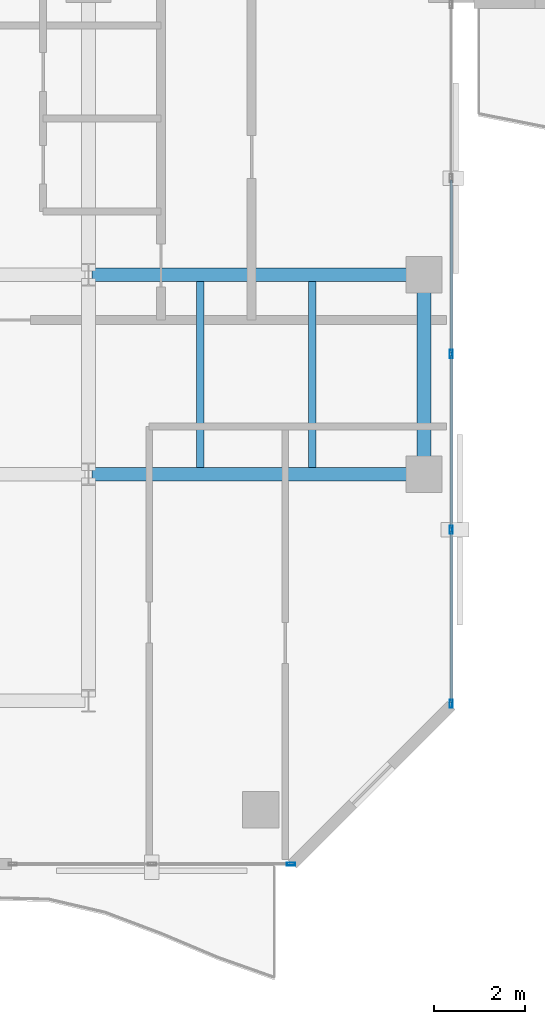
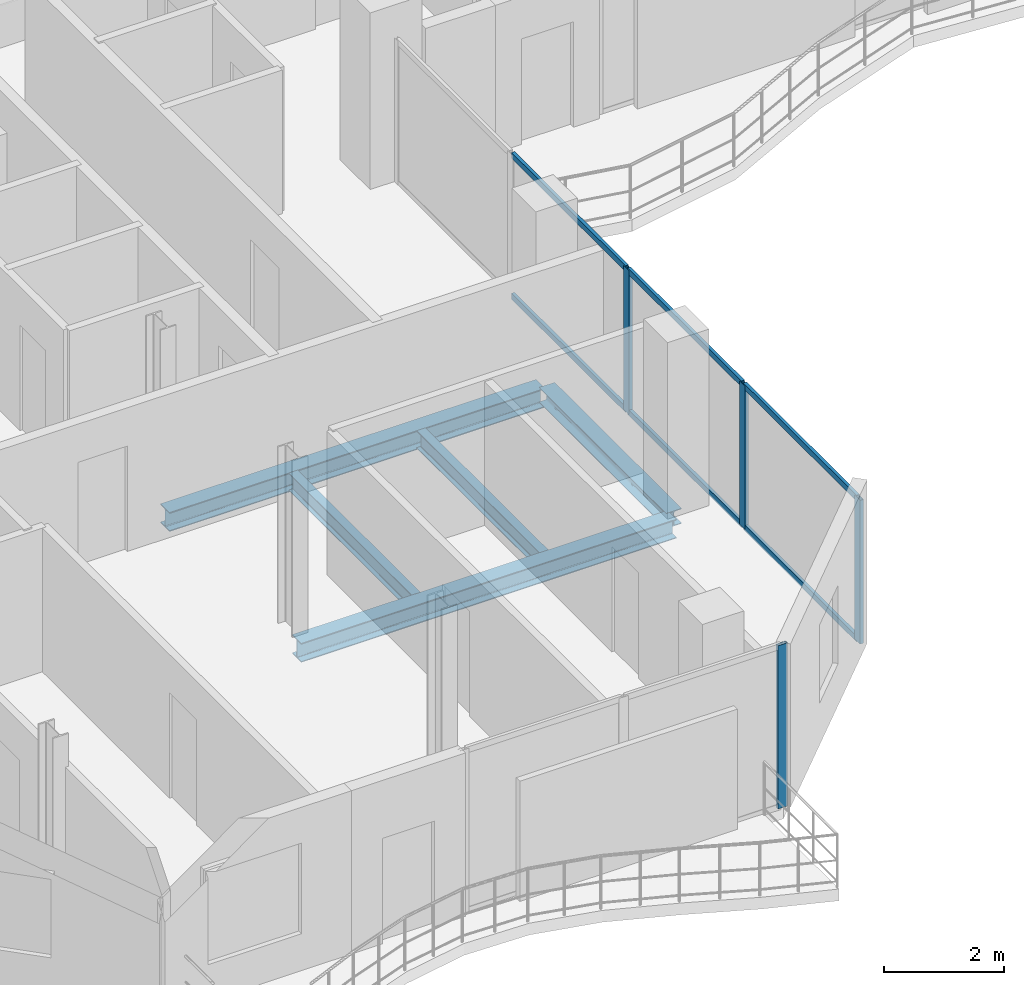
# One storey, part 6 of 24: 10 members, 5 beams, 2 elements without a shape of their own.
"""IFC4 building model written with IfcOpenShell, lengths in metres."""

from ifc_helpers import new_model, si_unit, direction, frame, origin, origin_2d, place, context, subcontext, project, spatial, hollow_rectangle, i_section, extrude, material, layer, layer_set, material_profile, profile_set, type_object, element, aggregate, save


model = new_model("IFC4")

# Units and contexts
model_context = context("Model", 3, precision=1e-05, world=origin(), true_north=direction((0.0, 1.0)))
body_context = subcontext(model_context, "Body", "Model", "MODEL_VIEW")
ifc_project = project(units=[si_unit("LENGTHUNIT", "METRE"), si_unit("AREAUNIT", "SQUARE_METRE"), si_unit("VOLUMEUNIT", "CUBIC_METRE"), si_unit("PLANEANGLEUNIT", "RADIAN"), si_unit("MASSUNIT", "GRAM", prefix="KILO")], contexts=[model_context])

# Site, building, storey
site_placement = place(None, origin())
site = spatial("IfcSite", under=ifc_project, at=site_placement, CompositionType="ELEMENT")
building_placement = place(site_placement, origin())
building = spatial("IfcBuilding", under=site, at=building_placement, Name="Catumbela Crestline Tower", CompositionType="ELEMENT")
storey_placement = place(building_placement, frame((0.0, 0.0, 157.8)))
storey = spatial("IfcBuildingStorey", under=building, at=storey_placement, Name="L40", CompositionType="ELEMENT", Elevation=157.8)

# Beams
ifc_material_1 = material(Name="Structural steel S355J2", Category="steel")
ifc_material_profile_1 = material_profile(ifc_material_1, i_section(OverallWidth=0.3, OverallDepth=0.39, WebThickness=0.011, FlangeThickness=0.019, FilletRadius=0.027, at=origin_2d()), Name="HEA 400")
ifc_profile_set_1 = profile_set([ifc_material_profile_1], Name="Structural steel S355J2")
beam_type_1 = type_object("IfcBeamType", Name="BG-HEA400", PredefinedType="BEAM", material=ifc_profile_set_1)
for number, where, z_axis, x_axis, name in (
    (1, (16.08, 13.6, -0.455), (1.0, 0.0, 0.0), (0.0, 1.0, 0.0), "L40 Beam BM-L40-WEW34"),
    (2, (16.08, 18.0, -0.455), (1.0, 0.0, 0.0), (0.0, 1.0, 0.0), "L40 Beam BM-L40-WEW36"),
):
    element("IfcBeam", number, at=place(storey_placement, frame(where, z_axis=z_axis, x_axis=x_axis)), inside=storey, type_object=beam_type_1, Name=name, PredefinedType="BEAM", context=body_context, shape_type="SweptSolid", body=[
        extrude(i_section(OverallWidth=0.3, OverallDepth=0.39, WebThickness=0.011, FlangeThickness=0.019, FilletRadius=0.027, at=origin_2d()), origin(), (0.0, 0.0, 1.0), 7.24),
    ])
ifc_material_profile_2 = material_profile(ifc_material_1, i_section(OverallWidth=0.17, OverallDepth=0.36, WebThickness=0.008, FlangeThickness=0.0127, FilletRadius=0.018, at=origin_2d()), Name="IPE 360")
ifc_profile_set_2 = profile_set([ifc_material_profile_2], Name="Structural steel S355J2")
beam_type_2 = type_object("IfcBeamType", Name="BJ-IPE360", PredefinedType="JOIST", material=ifc_profile_set_2)
for number, where, z_axis, x_axis, name in (
    (3, (18.467, 13.747, -0.44), (0.0, 1.0, 0.0), (-1.0, 0.0, 0.0), "L40 Joist JS-L40-WG48"),
    (4, (20.933, 13.747, -0.44), (0.0, 1.0, 0.0), (-1.0, 0.0, 0.0), "L40 Joist JS-L40-WG49"),
):
    element("IfcBeam", number, at=place(storey_placement, frame(where, z_axis=z_axis, x_axis=x_axis)), inside=storey, type_object=beam_type_2, Name=name, PredefinedType="JOIST", context=body_context, shape_type="SweptSolid", body=[
        extrude(i_section(OverallWidth=0.17, OverallDepth=0.36, WebThickness=0.008, FlangeThickness=0.0127, FilletRadius=0.018, at=origin_2d()), origin(), (0.0, 0.0, 1.0), 4.106),
    ])

# Curtain wall, member
ifc_material_2 = material(Name="Aluminium alloy AW-6060-T66", Category="aluminium")
ifc_layer = layer(ifc_material_2, 0.18, Name="Aluminium alloy AW-6060-T66")
ifc_layer_set = layer_set([ifc_layer], Name="Aluminium alloy AW-6060-T66")
curtain_wall_type = type_object("IfcCurtainWallType", Name="CWU-Z3", PredefinedType="USERDEFINED", material=ifc_layer_set)
curtain_wall_1_placement = place(storey_placement, origin())
curtain_wall_1 = element("IfcCurtainWall", 5, at=curtain_wall_1_placement, inside=storey, type_object=curtain_wall_type, Name="L40 Unitised Curtain Wall CW-L40-E0S2", ObjectType="UNITISED", PredefinedType="USERDEFINED")
ifc_material_profile_3 = material_profile(ifc_material_2, hollow_rectangle(XDim=0.065, YDim=0.18, WallThickness=0.004, at=origin_2d()), Name="ALU 180x65x4")
ifc_profile_set_3 = profile_set([ifc_material_profile_3], Name="Aluminium alloy AW-6060-T66")
member_type_1 = type_object("IfcMemberType", Name="MUL-180X65", PredefinedType="MULLION", material=ifc_profile_set_3)
member_1_placement = place(storey_placement, frame((20.4675, 5.0, 0.0), z_axis=(0.0, 0.0, 1.0), x_axis=(0.0, 1.0, 0.0)))
member_1 = element("IfcMember", 6, at=member_1_placement, type_object=member_type_1, Name="CWU-Z3 mullion 3", PredefinedType="MULLION", context=body_context, shape_type="SweptSolid", body=[
    extrude(hollow_rectangle(XDim=0.065, YDim=0.18, WallThickness=0.004, at=origin_2d()), origin(), (0.0, 0.0, 1.0), 3.33),
])
aggregate(curtain_wall_1, [member_1])

# Curtain wall, members
curtain_wall_2_placement = place(storey_placement, origin())
curtain_wall_2 = element("IfcCurtainWall", 7, at=curtain_wall_2_placement, inside=storey, type_object=curtain_wall_type, Name="L40 Unitised Curtain Wall CW-L40-E2S1", ObjectType="UNITISED", PredefinedType="USERDEFINED")
member_2_placement = place(storey_placement, frame((24.0, 8.5325, 0.0), z_axis=(0.0, 0.0, 1.0), x_axis=(-1.0, 0.0, 0.0)))
member_2 = element("IfcMember", 8, at=member_2_placement, type_object=member_type_1, Name="CWU-Z3 mullion 1", PredefinedType="MULLION", context=body_context, shape_type="SweptSolid", body=[
    extrude(hollow_rectangle(XDim=0.065, YDim=0.18, WallThickness=0.004, at=origin_2d()), origin(), (0.0, 0.0, 1.0), 2.93),
])
member_3_placement = place(storey_placement, frame((24.0, 12.375, 0.0), z_axis=(0.0, 0.0, 1.0), x_axis=(-1.0, 0.0, 0.0)))
member_3 = element("IfcMember", 9, at=member_3_placement, type_object=member_type_1, Name="CWU-Z3 mullion 2", PredefinedType="MULLION", context=body_context, shape_type="SweptSolid", body=[
    extrude(hollow_rectangle(XDim=0.065, YDim=0.18, WallThickness=0.004, at=origin_2d()), origin(), (0.0, 0.0, 1.0), 2.93),
])
member_4_placement = place(storey_placement, frame((24.0, 16.25, 0.0), z_axis=(0.0, 0.0, 1.0), x_axis=(-1.0, 0.0, 0.0)))
member_4 = element("IfcMember", 10, at=member_4_placement, type_object=member_type_1, Name="CWU-Z3 mullion 3", PredefinedType="MULLION", context=body_context, shape_type="SweptSolid", body=[
    extrude(hollow_rectangle(XDim=0.065, YDim=0.18, WallThickness=0.004, at=origin_2d()), origin(), (0.0, 0.0, 1.0), 2.93),
])

# Beam
ifc_material_profile_4 = material_profile(ifc_material_1, i_section(OverallWidth=0.3, OverallDepth=0.31, WebThickness=0.009, FlangeThickness=0.0155, FilletRadius=0.027, at=origin_2d()), Name="HEA 320")
ifc_profile_set_4 = profile_set([ifc_material_profile_4], Name="Structural steel S355J2")
beam_type_3 = type_object("IfcBeamType", Name="BS-HEA320", PredefinedType="SPANDREL", material=ifc_profile_set_4)
beam_placement = place(storey_placement, frame((23.4, 13.68, -0.415), z_axis=(0.0, 1.0, 0.0), x_axis=(-1.0, 0.0, 0.0)))
element("IfcBeam", 11, at=beam_placement, inside=storey, type_object=beam_type_3, Name="L40 Spandrel SP-L40-WNS43", PredefinedType="SPANDREL", context=body_context, shape_type="SweptSolid", body=[
    extrude(i_section(OverallWidth=0.3, OverallDepth=0.31, WebThickness=0.009, FlangeThickness=0.0155, FilletRadius=0.027, at=origin_2d()), origin(), (0.0, 0.0, 1.0), 4.24),
])

# Member
ifc_material_profile_5 = material_profile(ifc_material_2, hollow_rectangle(XDim=0.06, YDim=0.12, WallThickness=0.0035, at=origin_2d()), Name="ALU 120x60x3.5")
ifc_profile_set_5 = profile_set([ifc_material_profile_5], Name="Aluminium alloy AW-6060-T66")
member_type_2 = type_object("IfcMemberType", Name="TRN-120X60", PredefinedType="USERDEFINED", material=ifc_profile_set_5)
member_5_placement = place(storey_placement, frame((24.0, 8.565, 0.03), z_axis=(0.0, 1.0, 0.0), x_axis=(-1.0, 0.0, 0.0)))
member_5 = element("IfcMember", 12, at=member_5_placement, type_object=member_type_2, Name="CWU-Z3 transom 1.1", ObjectType="TRANSOM", PredefinedType="USERDEFINED", context=body_context, shape_type="SweptSolid", body=[
    extrude(hollow_rectangle(XDim=0.06, YDim=0.12, WallThickness=0.0035, at=origin_2d()), origin(), (0.0, 0.0, 1.0), 3.7775),
])

member_6_placement = place(storey_placement, frame((24.0, 8.565, 2.9), z_axis=(0.0, 1.0, 0.0), x_axis=(-1.0, 0.0, 0.0)))
member_6 = element("IfcMember", 13, at=member_6_placement, type_object=member_type_2, Name="CWU-Z3 transom 1.2", ObjectType="TRANSOM", PredefinedType="USERDEFINED", context=body_context, shape_type="SweptSolid", body=[
    extrude(hollow_rectangle(XDim=0.06, YDim=0.12, WallThickness=0.0035, at=origin_2d()), origin(), (0.0, 0.0, 1.0), 3.7775),
])

member_7_placement = place(storey_placement, frame((24.0, 12.4075, 0.03), z_axis=(0.0, 1.0, 0.0), x_axis=(-1.0, 0.0, 0.0)))
member_7 = element("IfcMember", 14, at=member_7_placement, type_object=member_type_2, Name="CWU-Z3 transom 2.1", ObjectType="TRANSOM", PredefinedType="USERDEFINED", context=body_context, shape_type="SweptSolid", body=[
    extrude(hollow_rectangle(XDim=0.06, YDim=0.12, WallThickness=0.0035, at=origin_2d()), origin(), (0.0, 0.0, 1.0), 3.81),
])

member_8_placement = place(storey_placement, frame((24.0, 12.4075, 2.9), z_axis=(0.0, 1.0, 0.0), x_axis=(-1.0, 0.0, 0.0)))
member_8 = element("IfcMember", 15, at=member_8_placement, type_object=member_type_2, Name="CWU-Z3 transom 2.2", ObjectType="TRANSOM", PredefinedType="USERDEFINED", context=body_context, shape_type="SweptSolid", body=[
    extrude(hollow_rectangle(XDim=0.06, YDim=0.12, WallThickness=0.0035, at=origin_2d()), origin(), (0.0, 0.0, 1.0), 3.81),
])

member_9_placement = place(storey_placement, frame((24.0, 16.2825, 0.03), z_axis=(0.0, 1.0, 0.0), x_axis=(-1.0, 0.0, 0.0)))
member_9 = element("IfcMember", 16, at=member_9_placement, type_object=member_type_2, Name="CWU-Z3 transom 3.1", ObjectType="TRANSOM", PredefinedType="USERDEFINED", context=body_context, shape_type="SweptSolid", body=[
    extrude(hollow_rectangle(XDim=0.06, YDim=0.12, WallThickness=0.0035, at=origin_2d()), origin(), (0.0, 0.0, 1.0), 3.81),
])

member_10_placement = place(storey_placement, frame((24.0, 16.2825, 2.9), z_axis=(0.0, 1.0, 0.0), x_axis=(-1.0, 0.0, 0.0)))
member_10 = element("IfcMember", 17, at=member_10_placement, type_object=member_type_2, Name="CWU-Z3 transom 3.2", ObjectType="TRANSOM", PredefinedType="USERDEFINED", context=body_context, shape_type="SweptSolid", body=[
    extrude(hollow_rectangle(XDim=0.06, YDim=0.12, WallThickness=0.0035, at=origin_2d()), origin(), (0.0, 0.0, 1.0), 3.81),
])

aggregate(curtain_wall_2, [member_2, member_3, member_4, member_5, member_6, member_7, member_8, member_9, member_10])

save(model, "model.ifc")
